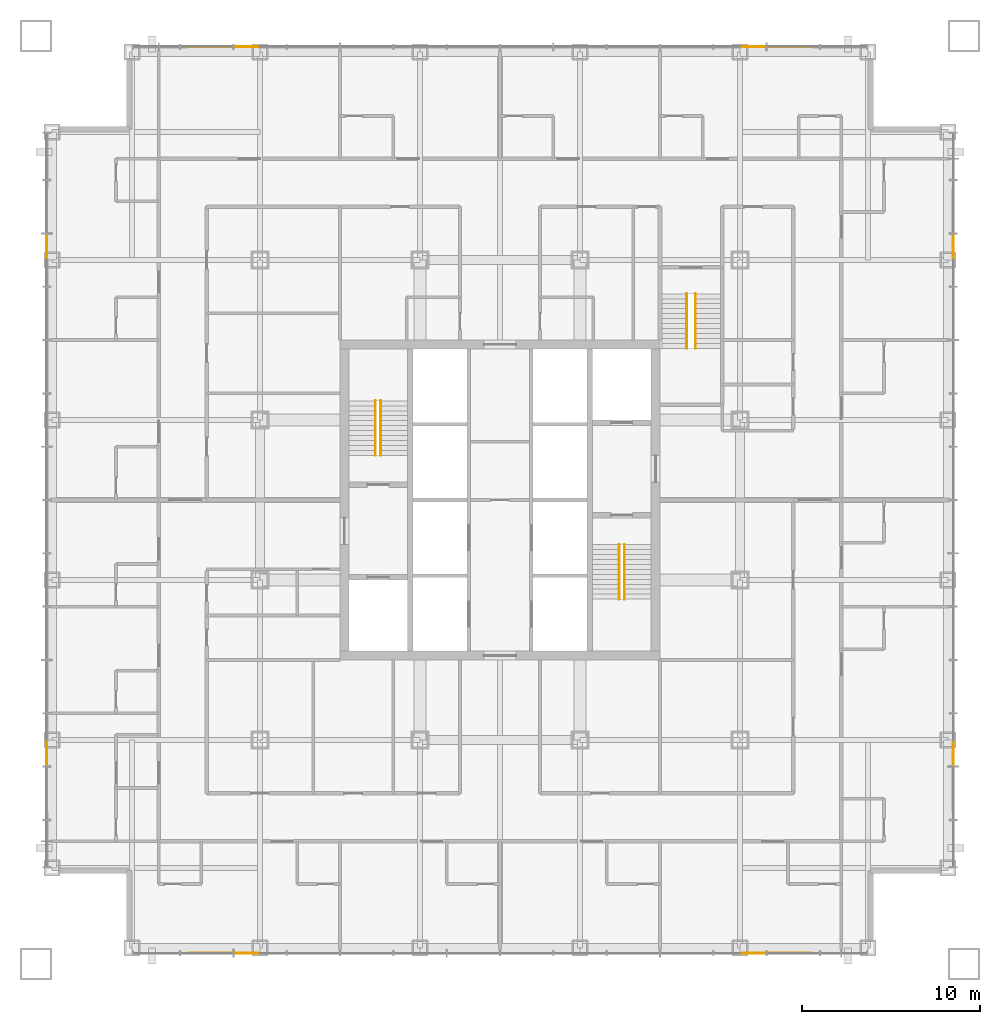
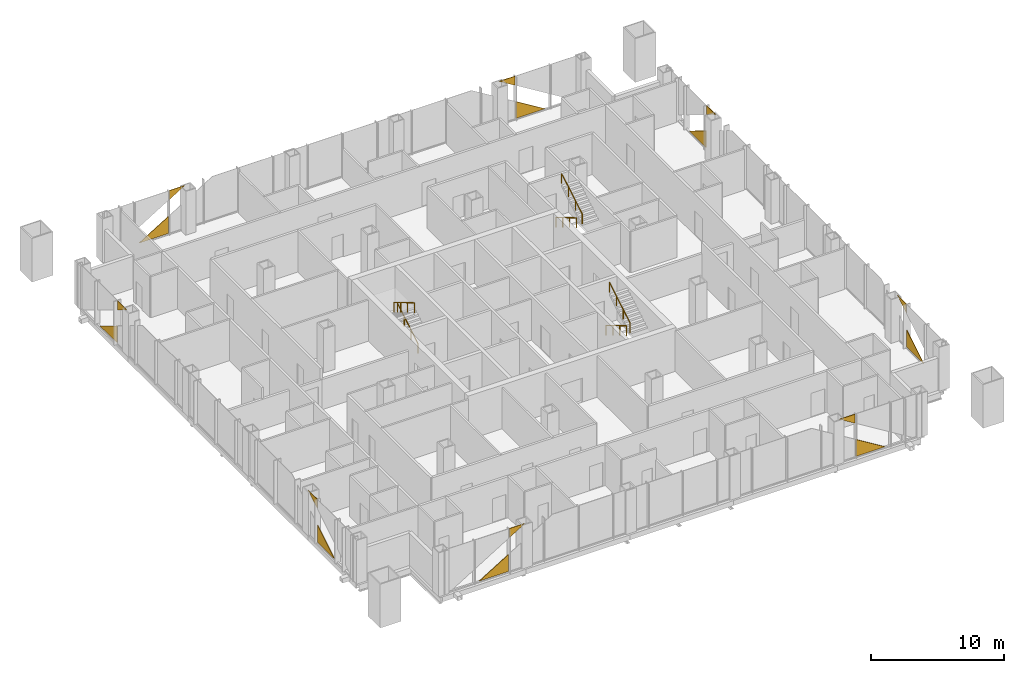
# One storey, part 13 of 13: 16 coverings, 6 railings.
"""IFC4 building model written with IfcOpenShell, lengths in metres."""

from ifc_helpers import new_model, si_unit, direction, frame, origin, origin_2d, place, context, subcontext, project, spatial, polyline, circle, outline, extrude, material, layer, layer_set, type_object, element, save


model = new_model("IFC4")

# Units and contexts
model_context = context("Model", 3, precision=1e-05, world=origin(), true_north=direction((0.0, 1.0)))
body_context = subcontext(model_context, "Body", "Model", "MODEL_VIEW")
ifc_project = project(units=[si_unit("LENGTHUNIT", "METRE"), si_unit("AREAUNIT", "SQUARE_METRE"), si_unit("VOLUMEUNIT", "CUBIC_METRE"), si_unit("PLANEANGLEUNIT", "RADIAN"), si_unit("MASSUNIT", "GRAM", prefix="KILO")], contexts=[model_context])

# Site, building, storey
site_placement = place(None, origin())
site = spatial("IfcSite", under=ifc_project, at=site_placement, CompositionType="ELEMENT")
building_placement = place(site_placement, origin())
building = spatial("IfcBuilding", under=site, at=building_placement, Name="Malebo Sky Hospital", CompositionType="ELEMENT")
storey_placement = place(building_placement, frame((0.0, 0.0, 67.0)))
storey = spatial("IfcBuildingStorey", under=building, at=storey_placement, Name="L15", CompositionType="ELEMENT", Elevation=67.0)

# Coverings
ifc_material_1 = material(Name="Anodised aluminium, natural silver insulated infill panel", Category="aluminium")
ifc_layer = layer(ifc_material_1, 0.0400390625)
ifc_layer_set = layer_set([ifc_layer], Name="BRACE INFILL PANEL 40")
covering_type = type_object("IfcCoveringType", Name="BRACE INFILL PANEL 40", PredefinedType="CLADDING", material=ifc_layer_set)
covering_1_placement = place(storey_placement, frame((43.69970703125, 87.5, 0.10009765625), z_axis=(0.0, 0.0, 1.0), x_axis=(1.0, 0.0, 0.0)))
element("IfcCovering", 1, at=covering_1_placement, inside=storey, type_object=covering_type, Name="Brace infill panel 3.1", PredefinedType="CLADDING", context=body_context, shape_type="SweptSolid", body=[
    extrude(outline(polyline([(-1.2626953125, 0.0), (1.2626953125, 0.0), (1.2626953125, 1.548095703125), (-1.2626953125, 0.0)])), frame((0.0, 0.02001953125, 0.0), z_axis=(0.0, -1.0, 0.0), x_axis=(1.0, 0.0, 0.0)), (0.0, 0.0, 1.0), 0.0400390625),
])
covering_2_placement = place(storey_placement, frame((45.71337890625, 87.5, 3.161376953125), z_axis=(0.0, 0.0, 1.0), x_axis=(1.0, 0.0, 0.0)))
element("IfcCovering", 2, at=covering_2_placement, inside=storey, type_object=covering_type, Name="Brace infill panel 4.1", PredefinedType="CLADDING", context=body_context, shape_type="SweptSolid", body=[
    extrude(outline(polyline([(-0.67578125, 0.0), (0.67578125, 0.82861328125), (-0.67578125, 0.82861328125), (-0.67578125, 0.0)])), frame((0.0, 0.02001953125, 0.0), z_axis=(0.0, -1.0, 0.0), x_axis=(1.0, 0.0, 0.0)), (0.0, 0.0, 1.0), 0.0400390625),
])
covering_3_placement = place(storey_placement, frame((74.28662109375, 87.5, 3.161376953125), z_axis=(0.0, 0.0, 1.0), x_axis=(1.0, 0.0, 0.0)))
element("IfcCovering", 3, at=covering_3_placement, inside=storey, type_object=covering_type, Name="Brace infill panel 13.1", PredefinedType="CLADDING", context=body_context, shape_type="SweptSolid", body=[
    extrude(outline(polyline([(0.67578125, 0.0), (0.67578125, 0.82861328125), (-0.67578125, 0.82861328125), (0.67578125, 0.0)])), frame((0.0, 0.02001953125, 0.0), z_axis=(0.0, -1.0, 0.0), x_axis=(1.0, 0.0, 0.0)), (0.0, 0.0, 1.0), 0.0400390625),
])
covering_4_placement = place(storey_placement, frame((76.30029296875, 87.5, 0.10009765625), z_axis=(0.0, 0.0, 1.0), x_axis=(1.0, 0.0, 0.0)))
element("IfcCovering", 4, at=covering_4_placement, inside=storey, type_object=covering_type, Name="Brace infill panel 14.1", PredefinedType="CLADDING", context=body_context, shape_type="SweptSolid", body=[
    extrude(outline(polyline([(-1.2626953125, 0.0), (1.2626953125, 0.0), (-1.2626953125, 1.548095703125), (-1.2626953125, 0.0)])), frame((0.0, 0.02001953125, 0.0), z_axis=(0.0, -1.0, 0.0), x_axis=(1.0, 0.0, 0.0)), (0.0, 0.0, 1.0), 0.0400390625),
])
covering_5_placement = place(storey_placement, frame((34.5, 45.69970703125, 0.10009765625), z_axis=(0.0, 0.0, 1.0), x_axis=(0.0, 1.0, 0.0)))
element("IfcCovering", 5, at=covering_5_placement, inside=storey, type_object=covering_type, Name="Brace infill panel 3.1", PredefinedType="CLADDING", context=body_context, shape_type="SweptSolid", body=[
    extrude(outline(polyline([(-1.2626953125, 0.0), (1.2626953125, 0.0), (1.2626953125, 1.548095703125), (-1.2626953125, 0.0)])), frame((0.0, 0.02001953125, 0.0), z_axis=(0.0, -1.0, 0.0), x_axis=(1.0, 0.0, 0.0)), (0.0, 0.0, 1.0), 0.0400390625),
])
covering_6_placement = place(storey_placement, frame((34.5, 47.71337890625, 3.161376953125), z_axis=(0.0, 0.0, 1.0), x_axis=(0.0, 1.0, 0.0)))
element("IfcCovering", 6, at=covering_6_placement, inside=storey, type_object=covering_type, Name="Brace infill panel 4.1", PredefinedType="CLADDING", context=body_context, shape_type="SweptSolid", body=[
    extrude(outline(polyline([(-0.67578125, 0.0), (0.67578125, 0.82861328125), (-0.67578125, 0.82861328125), (-0.67578125, 0.0)])), frame((0.0, 0.02001953125, 0.0), z_axis=(0.0, -1.0, 0.0), x_axis=(1.0, 0.0, 0.0)), (0.0, 0.0, 1.0), 0.0400390625),
])
covering_7_placement = place(storey_placement, frame((34.5, 76.28662109375, 3.161376953125), z_axis=(0.0, 0.0, 1.0), x_axis=(0.0, 1.0, 0.0)))
element("IfcCovering", 7, at=covering_7_placement, inside=storey, type_object=covering_type, Name="Brace infill panel 13.1", PredefinedType="CLADDING", context=body_context, shape_type="SweptSolid", body=[
    extrude(outline(polyline([(0.67578125, 0.0), (0.67578125, 0.82861328125), (-0.67578125, 0.82861328125), (0.67578125, 0.0)])), frame((0.0, 0.02001953125, 0.0), z_axis=(0.0, -1.0, 0.0), x_axis=(1.0, 0.0, 0.0)), (0.0, 0.0, 1.0), 0.0400390625),
])
covering_8_placement = place(storey_placement, frame((34.5, 78.30029296875, 0.10009765625), z_axis=(0.0, 0.0, 1.0), x_axis=(0.0, 1.0, 0.0)))
element("IfcCovering", 8, at=covering_8_placement, inside=storey, type_object=covering_type, Name="Brace infill panel 14.1", PredefinedType="CLADDING", context=body_context, shape_type="SweptSolid", body=[
    extrude(outline(polyline([(-1.2626953125, 0.0), (1.2626953125, 0.0), (-1.2626953125, 1.548095703125), (-1.2626953125, 0.0)])), frame((0.0, 0.02001953125, 0.0), z_axis=(0.0, -1.0, 0.0), x_axis=(1.0, 0.0, 0.0)), (0.0, 0.0, 1.0), 0.0400390625),
])
covering_9_placement = place(storey_placement, frame((76.30029296875, 36.5, 0.10009765625), z_axis=(0.0, 0.0, 1.0), x_axis=(-1.0, 0.0, 0.0)))
element("IfcCovering", 9, at=covering_9_placement, inside=storey, type_object=covering_type, Name="Brace infill panel 3.1", PredefinedType="CLADDING", context=body_context, shape_type="SweptSolid", body=[
    extrude(outline(polyline([(-1.2626953125, 0.0), (1.2626953125, 0.0), (1.2626953125, 1.548095703125), (-1.2626953125, 0.0)])), frame((0.0, 0.02001953125, 0.0), z_axis=(0.0, -1.0, 0.0), x_axis=(1.0, 0.0, 0.0)), (0.0, 0.0, 1.0), 0.0400390625),
])
covering_10_placement = place(storey_placement, frame((74.28662109375, 36.5, 3.161376953125), z_axis=(0.0, 0.0, 1.0), x_axis=(-1.0, 0.0, 0.0)))
element("IfcCovering", 10, at=covering_10_placement, inside=storey, type_object=covering_type, Name="Brace infill panel 4.1", PredefinedType="CLADDING", context=body_context, shape_type="SweptSolid", body=[
    extrude(outline(polyline([(-0.67578125, 0.0), (0.67578125, 0.82861328125), (-0.67578125, 0.82861328125), (-0.67578125, 0.0)])), frame((0.0, 0.02001953125, 0.0), z_axis=(0.0, -1.0, 0.0), x_axis=(1.0, 0.0, 0.0)), (0.0, 0.0, 1.0), 0.0400390625),
])
covering_11_placement = place(storey_placement, frame((45.71337890625, 36.5, 3.161376953125), z_axis=(0.0, 0.0, 1.0), x_axis=(-1.0, 0.0, 0.0)))
element("IfcCovering", 11, at=covering_11_placement, inside=storey, type_object=covering_type, Name="Brace infill panel 13.1", PredefinedType="CLADDING", context=body_context, shape_type="SweptSolid", body=[
    extrude(outline(polyline([(0.67578125, 0.0), (0.67578125, 0.82861328125), (-0.67578125, 0.82861328125), (0.67578125, 0.0)])), frame((0.0, 0.02001953125, 0.0), z_axis=(0.0, -1.0, 0.0), x_axis=(1.0, 0.0, 0.0)), (0.0, 0.0, 1.0), 0.0400390625),
])
covering_12_placement = place(storey_placement, frame((43.69970703125, 36.5, 0.10009765625), z_axis=(0.0, 0.0, 1.0), x_axis=(-1.0, 0.0, 0.0)))
element("IfcCovering", 12, at=covering_12_placement, inside=storey, type_object=covering_type, Name="Brace infill panel 14.1", PredefinedType="CLADDING", context=body_context, shape_type="SweptSolid", body=[
    extrude(outline(polyline([(-1.2626953125, 0.0), (1.2626953125, 0.0), (-1.2626953125, 1.548095703125), (-1.2626953125, 0.0)])), frame((0.0, 0.02001953125, 0.0), z_axis=(0.0, -1.0, 0.0), x_axis=(1.0, 0.0, 0.0)), (0.0, 0.0, 1.0), 0.0400390625),
])
covering_13_placement = place(storey_placement, frame((85.5, 78.30029296875, 0.10009765625), z_axis=(0.0, 0.0, 1.0), x_axis=(0.0, -1.0, 0.0)))
element("IfcCovering", 13, at=covering_13_placement, inside=storey, type_object=covering_type, Name="Brace infill panel 3.1", PredefinedType="CLADDING", context=body_context, shape_type="SweptSolid", body=[
    extrude(outline(polyline([(-1.2626953125, 0.0), (1.2626953125, 0.0), (1.2626953125, 1.548095703125), (-1.2626953125, 0.0)])), frame((0.0, 0.02001953125, 0.0), z_axis=(0.0, -1.0, 0.0), x_axis=(1.0, 0.0, 0.0)), (0.0, 0.0, 1.0), 0.0400390625),
])
covering_14_placement = place(storey_placement, frame((85.5, 76.28662109375, 3.161376953125), z_axis=(0.0, 0.0, 1.0), x_axis=(0.0, -1.0, 0.0)))
element("IfcCovering", 14, at=covering_14_placement, inside=storey, type_object=covering_type, Name="Brace infill panel 4.1", PredefinedType="CLADDING", context=body_context, shape_type="SweptSolid", body=[
    extrude(outline(polyline([(-0.67578125, 0.0), (0.67578125, 0.82861328125), (-0.67578125, 0.82861328125), (-0.67578125, 0.0)])), frame((0.0, 0.02001953125, 0.0), z_axis=(0.0, -1.0, 0.0), x_axis=(1.0, 0.0, 0.0)), (0.0, 0.0, 1.0), 0.0400390625),
])
covering_15_placement = place(storey_placement, frame((85.5, 47.71337890625, 3.161376953125), z_axis=(0.0, 0.0, 1.0), x_axis=(0.0, -1.0, 0.0)))
element("IfcCovering", 15, at=covering_15_placement, inside=storey, type_object=covering_type, Name="Brace infill panel 13.1", PredefinedType="CLADDING", context=body_context, shape_type="SweptSolid", body=[
    extrude(outline(polyline([(0.67578125, 0.0), (0.67578125, 0.82861328125), (-0.67578125, 0.82861328125), (0.67578125, 0.0)])), frame((0.0, 0.02001953125, 0.0), z_axis=(0.0, -1.0, 0.0), x_axis=(1.0, 0.0, 0.0)), (0.0, 0.0, 1.0), 0.0400390625),
])
covering_16_placement = place(storey_placement, frame((85.5, 45.69970703125, 0.10009765625), z_axis=(0.0, 0.0, 1.0), x_axis=(0.0, -1.0, 0.0)))
element("IfcCovering", 16, at=covering_16_placement, inside=storey, type_object=covering_type, Name="Brace infill panel 14.1", PredefinedType="CLADDING", context=body_context, shape_type="SweptSolid", body=[
    extrude(outline(polyline([(-1.2626953125, 0.0), (1.2626953125, 0.0), (-1.2626953125, 1.548095703125), (-1.2626953125, 0.0)])), frame((0.0, 0.02001953125, 0.0), z_axis=(0.0, -1.0, 0.0), x_axis=(1.0, 0.0, 0.0)), (0.0, 0.0, 1.0), 0.0400390625),
])

# Railings
ifc_material_2 = material(Name="Stainless steel tube", Category="steel")
railing_type = type_object("IfcRailingType", Name="STAIR HANDRAIL 900", PredefinedType="HANDRAIL", material=ifc_material_2)
railing_1_placement = place(storey_placement, frame((53.300048828125, 64.5, 0.166748046875)))
element("IfcRailing", 17, at=railing_1_placement, inside=storey, type_object=railing_type, Name="Stair handrail S1 flight 1", PredefinedType="HANDRAIL", context=body_context, shape_type="SweptSolid", body=[
    extrude(circle(Radius=0.02392578125, at=origin_2d()), frame((0.0, 0.0, 0.8759765625), z_axis=(0.0, 0.859308565015, 0.511457515432), x_axis=(-1.0, 0.0, 0.0)), (0.0, 0.0, 1.0), 3.58447265625),
    extrude(circle(Radius=0.02099609375, at=origin_2d()), origin(), (0.0, 0.0, 1.0), 0.851806640625),
    extrude(circle(Radius=0.02099609375, at=origin_2d()), frame((0.0, 1.026611328125, 0.611083984375)), (0.0, 0.0, 1.0), 0.851806640625),
    extrude(circle(Radius=0.02099609375, at=origin_2d()), frame((0.0, 2.053466796875, 1.22216796875)), (0.0, 0.0, 1.0), 0.851806640625),
    extrude(circle(Radius=0.02099609375, at=origin_2d()), frame((0.0, 3.080078125, 1.833251953125)), (0.0, 0.0, 1.0), 0.851806640625),
])
for number, where, name in (
    (18, (53.0, 67.580078125, 2.166748046875), "Stair handrail S1 flight 2"),
    (19, (66.699951171875, 59.5, 0.166748046875), "Stair handrail S2 flight 1"),
):
    element("IfcRailing", number, at=place(storey_placement, frame(where)), inside=storey, type_object=railing_type, Name=name, PredefinedType="HANDRAIL", context=body_context, shape_type="SweptSolid", body=[
        extrude(circle(Radius=0.02392578125, at=origin_2d()), frame((0.0, 0.0, 0.8759765625), z_axis=(0.0, -0.859308565015, 0.511457515432), x_axis=(1.0, 0.0, 0.0)), (0.0, 0.0, 1.0), 3.58447265625),
        extrude(circle(Radius=0.02099609375, at=origin_2d()), origin(), (0.0, 0.0, 1.0), 0.851806640625),
        extrude(circle(Radius=0.02099609375, at=origin_2d()), frame((0.0, -1.026611328125, 0.611083984375)), (0.0, 0.0, 1.0), 0.851806640625),
        extrude(circle(Radius=0.02099609375, at=origin_2d()), frame((0.0, -2.053466796875, 1.22216796875)), (0.0, 0.0, 1.0), 0.851806640625),
        extrude(circle(Radius=0.02099609375, at=origin_2d()), frame((0.0, -3.080078125, 1.833251953125)), (0.0, 0.0, 1.0), 0.851806640625),
    ])
railing_2_placement = place(storey_placement, frame((67.0, 56.419921875, 2.166748046875)))
element("IfcRailing", 20, at=railing_2_placement, inside=storey, type_object=railing_type, Name="Stair handrail S2 flight 2", PredefinedType="HANDRAIL", context=body_context, shape_type="SweptSolid", body=[
    extrude(circle(Radius=0.02392578125, at=origin_2d()), frame((0.0, 0.0, 0.8759765625), z_axis=(0.0, 0.859308565015, 0.511457515432), x_axis=(-1.0, 0.0, 0.0)), (0.0, 0.0, 1.0), 3.58447265625),
    extrude(circle(Radius=0.02099609375, at=origin_2d()), origin(), (0.0, 0.0, 1.0), 0.851806640625),
    extrude(circle(Radius=0.02099609375, at=origin_2d()), frame((0.0, 1.026611328125, 0.611083984375)), (0.0, 0.0, 1.0), 0.851806640625),
    extrude(circle(Radius=0.02099609375, at=origin_2d()), frame((0.0, 2.053466796875, 1.22216796875)), (0.0, 0.0, 1.0), 0.851806640625),
    extrude(circle(Radius=0.02099609375, at=origin_2d()), frame((0.0, 3.080078125, 1.833251953125)), (0.0, 0.0, 1.0), 0.851806640625),
])
railing_3_placement = place(storey_placement, frame((70.5, 73.60009765625, 0.166748046875)))
element("IfcRailing", 21, at=railing_3_placement, inside=storey, type_object=railing_type, Name="Stair handrail S3 flight 1", PredefinedType="HANDRAIL", context=body_context, shape_type="SweptSolid", body=[
    extrude(circle(Radius=0.02392578125, at=origin_2d()), frame((0.0, 0.0, 0.8759765625), z_axis=(0.0, -0.859308565015, 0.511457515432), x_axis=(1.0, 0.0, 0.0)), (0.0, 0.0, 1.0), 3.58447265625),
    extrude(circle(Radius=0.02099609375, at=origin_2d()), origin(), (0.0, 0.0, 1.0), 0.851806640625),
    extrude(circle(Radius=0.02099609375, at=origin_2d()), frame((0.0, -1.026611328125, 0.611083984375)), (0.0, 0.0, 1.0), 0.851806640625),
    extrude(circle(Radius=0.02099609375, at=origin_2d()), frame((0.0, -2.053466796875, 1.22216796875)), (0.0, 0.0, 1.0), 0.851806640625),
    extrude(circle(Radius=0.02099609375, at=origin_2d()), frame((0.0, -3.080078125, 1.833251953125)), (0.0, 0.0, 1.0), 0.851806640625),
])
railing_4_placement = place(storey_placement, frame((71.0, 70.52001953125, 2.166748046875)))
element("IfcRailing", 22, at=railing_4_placement, inside=storey, type_object=railing_type, Name="Stair handrail S3 flight 2", PredefinedType="HANDRAIL", context=body_context, shape_type="SweptSolid", body=[
    extrude(circle(Radius=0.02392578125, at=origin_2d()), frame((0.0, 0.0, 0.8759765625), z_axis=(0.0, 0.859308565015, 0.511457515432), x_axis=(-1.0, 0.0, 0.0)), (0.0, 0.0, 1.0), 3.58447265625),
    extrude(circle(Radius=0.02099609375, at=origin_2d()), origin(), (0.0, 0.0, 1.0), 0.851806640625),
    extrude(circle(Radius=0.02099609375, at=origin_2d()), frame((0.0, 1.026611328125, 0.611083984375)), (0.0, 0.0, 1.0), 0.851806640625),
    extrude(circle(Radius=0.02099609375, at=origin_2d()), frame((0.0, 2.053466796875, 1.22216796875)), (0.0, 0.0, 1.0), 0.851806640625),
    extrude(circle(Radius=0.02099609375, at=origin_2d()), frame((0.0, 3.080078125, 1.833251953125)), (0.0, 0.0, 1.0), 0.851806640625),
])

save(model, "model.ifc")
